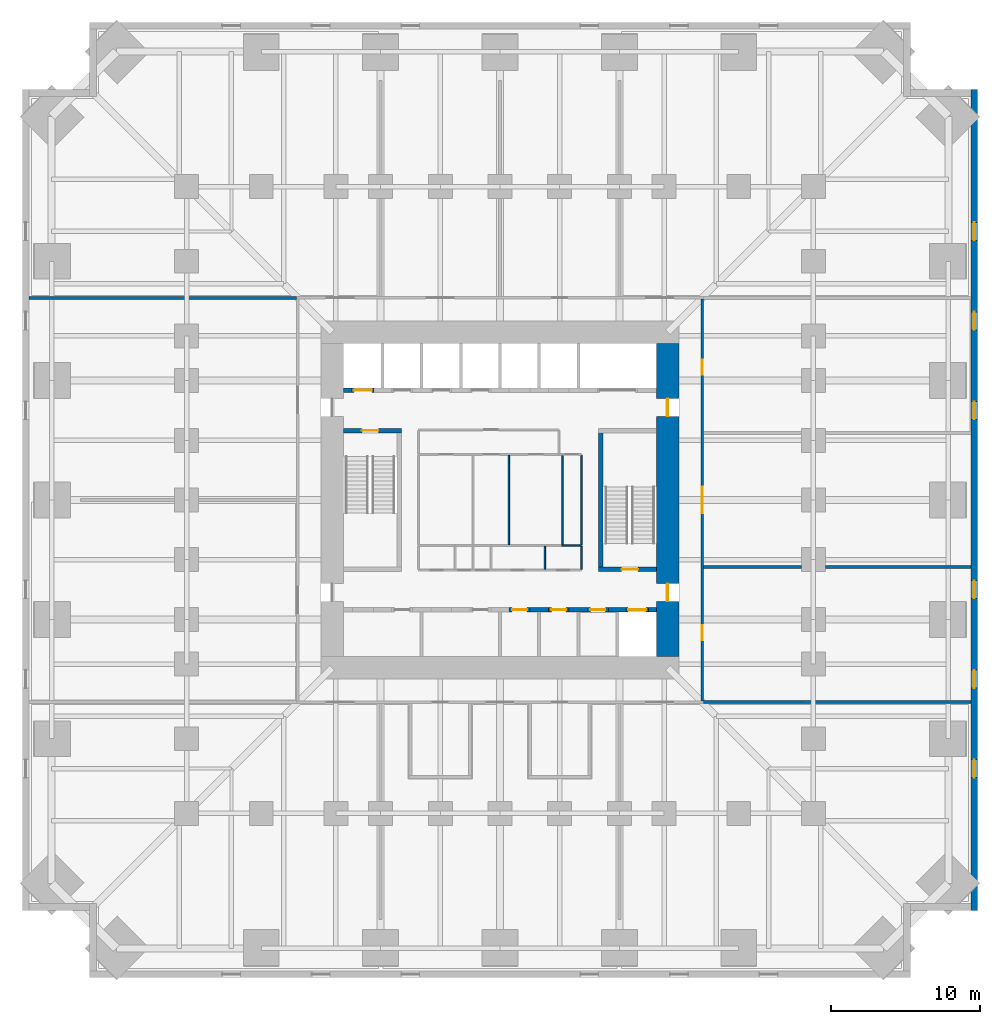
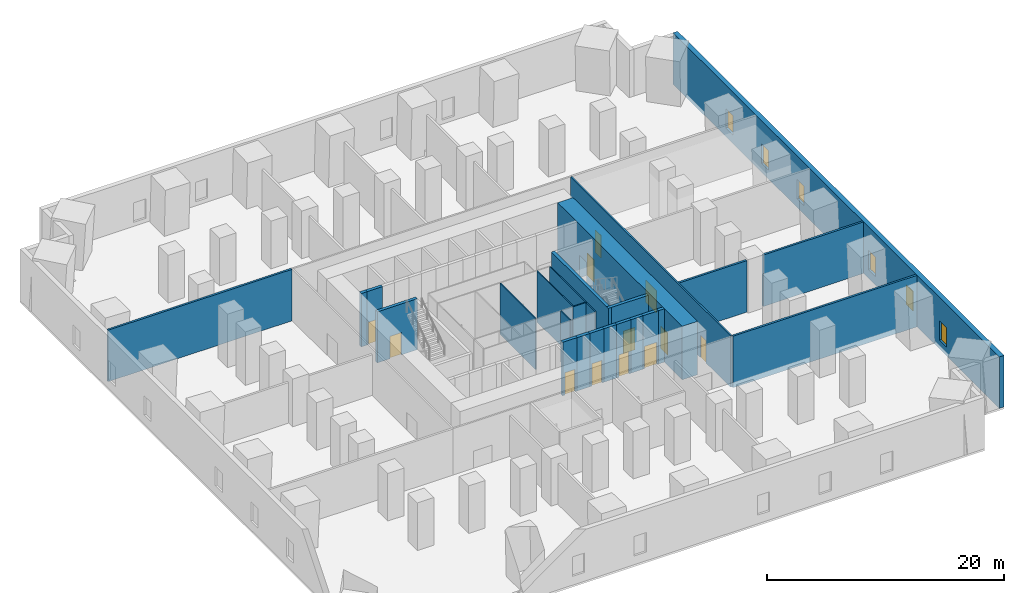
# One storey, part 5 of 8: 26 walls, 12 doors, 6 windows, 18 openings.
"""IFC4 building model written with IfcOpenShell, lengths in metres."""

from ifc_helpers import new_model, si_unit, direction, frame, frame_2d, origin, place, context, subcontext, project, spatial, rectangle, extrude, material, layer, layer_set, type_object, element, fill, save


model = new_model("IFC4")

# Units and contexts
model_context = context("Model", 3, precision=1e-05, world=origin(), true_north=direction((0.0, 1.0)))
body_context = subcontext(model_context, "Body", "Model", "MODEL_VIEW")
ifc_project = project(units=[si_unit("LENGTHUNIT", "METRE"), si_unit("AREAUNIT", "SQUARE_METRE"), si_unit("VOLUMEUNIT", "CUBIC_METRE"), si_unit("PLANEANGLEUNIT", "RADIAN"), si_unit("MASSUNIT", "GRAM", prefix="KILO")], contexts=[model_context])

# Site, building, storey
site_placement = place(None, origin())
site = spatial("IfcSite", under=ifc_project, at=site_placement, CompositionType="ELEMENT")
building_placement = place(site_placement, origin())
building = spatial("IfcBuilding", under=site, at=building_placement, Name="Peilmerk Tower", CompositionType="ELEMENT")
storey_placement = place(building_placement, frame((0.0, 0.0, 21.0)))
storey = spatial("IfcBuildingStorey", under=building, at=storey_placement, Name="L04", CompositionType="ELEMENT", Elevation=21.0)

# Wall, openings, windows
ifc_material_1 = material(Name="Precast concrete C45/55, board-marked finish", Category="concrete")
ifc_layer_1 = layer(ifc_material_1, 0.449951171875)
ifc_layer_set_1 = layer_set([ifc_layer_1], Name="Precast concrete C45/55, board-marked finish")
wall_type_1 = type_object("IfcWallType", Name="EW1 450 precast concrete facade wall, board-marked", PredefinedType="SOLIDWALL", material=ifc_layer_set_1)
wall_1_placement = place(storey_placement, frame((31.77490234375, -27.5, 0.0), z_axis=(0.0, 0.0, 1.0), x_axis=(0.0, 1.0, 0.0)))
wall_1 = element("IfcWall", 1, at=wall_1_placement, inside=storey, type_object=wall_type_1, Name="Facade wall E L04", PredefinedType="SOLIDWALL", context=body_context, shape_type="SweptSolid", body=[
    extrude(rectangle(XDim=55.0, YDim=0.449951171875, at=frame_2d((27.5, 0.0))), origin(), (0.0, 0.0, 1.0), 5.300048828125),
])
opening_1_placement = place(wall_1_placement, frame((8.89990234375, 0.0, 0.89990234375)))
opening_1 = element("IfcOpeningElement", 2, at=opening_1_placement, cuts=wall_1, Name="Opening W2", PredefinedType="OPENING", context=body_context, shape_type="SweptSolid", body=[
    extrude(rectangle(XDim=1.199951171875, YDim=2.0, at=frame_2d((0.60009765625, 1.0))), frame((0.0, 0.23486328125, 0.0), z_axis=(0.0, -1.0, 0.0), x_axis=(1.0, 0.0, 0.0)), (0.0, 0.0, 1.0), 0.469970703125),
])
opening_2_placement = place(wall_1_placement, frame((14.89990234375, 0.0, 0.89990234375)))
opening_2 = element("IfcOpeningElement", 3, at=opening_2_placement, cuts=wall_1, Name="Opening W2", PredefinedType="OPENING", context=body_context, shape_type="SweptSolid", body=[
    extrude(rectangle(XDim=1.199951171875, YDim=2.0, at=frame_2d((0.60009765625, 1.0))), frame((0.0, 0.23486328125, 0.0), z_axis=(0.0, -1.0, 0.0), x_axis=(1.0, 0.0, 0.0)), (0.0, 0.0, 1.0), 0.469970703125),
])
opening_3_placement = place(wall_1_placement, frame((20.89990234375, 0.0, 0.89990234375)))
opening_3 = element("IfcOpeningElement", 4, at=opening_3_placement, cuts=wall_1, Name="Opening W2", PredefinedType="OPENING", context=body_context, shape_type="SweptSolid", body=[
    extrude(rectangle(XDim=1.199951171875, YDim=2.0, at=frame_2d((0.60009765625, 1.0))), frame((0.0, 0.23486328125, 0.0), z_axis=(0.0, -1.0, 0.0), x_axis=(1.0, 0.0, 0.0)), (0.0, 0.0, 1.0), 0.469970703125),
])
opening_4_placement = place(wall_1_placement, frame((32.89990234375, 0.0, 0.89990234375)))
opening_4 = element("IfcOpeningElement", 5, at=opening_4_placement, cuts=wall_1, Name="Opening W2", PredefinedType="OPENING", context=body_context, shape_type="SweptSolid", body=[
    extrude(rectangle(XDim=1.199951171875, YDim=2.0, at=frame_2d((0.60009765625, 1.0))), frame((0.0, 0.23486328125, 0.0), z_axis=(0.0, -1.0, 0.0), x_axis=(1.0, 0.0, 0.0)), (0.0, 0.0, 1.0), 0.469970703125),
])
opening_5_placement = place(wall_1_placement, frame((38.89990234375, 0.0, 0.89990234375)))
opening_5 = element("IfcOpeningElement", 6, at=opening_5_placement, cuts=wall_1, Name="Opening W2", PredefinedType="OPENING", context=body_context, shape_type="SweptSolid", body=[
    extrude(rectangle(XDim=1.199951171875, YDim=2.0, at=frame_2d((0.60009765625, 1.0))), frame((0.0, 0.23486328125, 0.0), z_axis=(0.0, -1.0, 0.0), x_axis=(1.0, 0.0, 0.0)), (0.0, 0.0, 1.0), 0.469970703125),
])
opening_6_placement = place(wall_1_placement, frame((44.89990234375, 0.0, 0.89990234375)))
opening_6 = element("IfcOpeningElement", 7, at=opening_6_placement, cuts=wall_1, Name="Opening W2", PredefinedType="OPENING", context=body_context, shape_type="SweptSolid", body=[
    extrude(rectangle(XDim=1.199951171875, YDim=2.0, at=frame_2d((0.60009765625, 1.0))), frame((0.0, 0.23486328125, 0.0), z_axis=(0.0, -1.0, 0.0), x_axis=(1.0, 0.0, 0.0)), (0.0, 0.0, 1.0), 0.469970703125),
])
ifc_material_2 = material(Name="Aluminium frame, clear double glazing", Category="aluminium")
window_type = type_object("IfcWindowType", Name="W2 1200x2000 data hall slot window", PartitioningType="SINGLE_PANEL", PredefinedType="WINDOW", material=ifc_material_2)
window_1_placement = place(opening_1_placement, origin())
window_1 = element("IfcWindow", 8, at=window_1_placement, inside=storey, type_object=window_type, Name="Window W2 L04", OverallHeight=2.0, OverallWidth=1.199951171875, PartitioningType="SINGLE_PANEL", PredefinedType="WINDOW", context=body_context, shape_type="SweptSolid", body=[
    extrude(rectangle(XDim=1.199951171875, YDim=2.0, at=frame_2d((0.60009765625, 1.0))), frame((0.0, 0.030029296875, 0.0), z_axis=(0.0, -1.0, 0.0), x_axis=(1.0, 0.0, 0.0)), (0.0, 0.0, 1.0), 0.06005859375),
])
fill(opening_1, window_1)
window_2_placement = place(opening_2_placement, origin())
window_2 = element("IfcWindow", 9, at=window_2_placement, inside=storey, type_object=window_type, Name="Window W2 L04", OverallHeight=2.0, OverallWidth=1.199951171875, PartitioningType="SINGLE_PANEL", PredefinedType="WINDOW", context=body_context, shape_type="SweptSolid", body=[
    extrude(rectangle(XDim=1.199951171875, YDim=2.0, at=frame_2d((0.60009765625, 1.0))), frame((0.0, 0.030029296875, 0.0), z_axis=(0.0, -1.0, 0.0), x_axis=(1.0, 0.0, 0.0)), (0.0, 0.0, 1.0), 0.06005859375),
])
fill(opening_2, window_2)
window_3_placement = place(opening_3_placement, origin())
window_3 = element("IfcWindow", 10, at=window_3_placement, inside=storey, type_object=window_type, Name="Window W2 L04", OverallHeight=2.0, OverallWidth=1.199951171875, PartitioningType="SINGLE_PANEL", PredefinedType="WINDOW", context=body_context, shape_type="SweptSolid", body=[
    extrude(rectangle(XDim=1.199951171875, YDim=2.0, at=frame_2d((0.60009765625, 1.0))), frame((0.0, 0.030029296875, 0.0), z_axis=(0.0, -1.0, 0.0), x_axis=(1.0, 0.0, 0.0)), (0.0, 0.0, 1.0), 0.06005859375),
])
fill(opening_3, window_3)
window_4_placement = place(opening_4_placement, origin())
window_4 = element("IfcWindow", 11, at=window_4_placement, inside=storey, type_object=window_type, Name="Window W2 L04", OverallHeight=2.0, OverallWidth=1.199951171875, PartitioningType="SINGLE_PANEL", PredefinedType="WINDOW", context=body_context, shape_type="SweptSolid", body=[
    extrude(rectangle(XDim=1.199951171875, YDim=2.0, at=frame_2d((0.60009765625, 1.0))), frame((0.0, 0.030029296875, 0.0), z_axis=(0.0, -1.0, 0.0), x_axis=(1.0, 0.0, 0.0)), (0.0, 0.0, 1.0), 0.06005859375),
])
fill(opening_4, window_4)
window_5_placement = place(opening_5_placement, origin())
window_5 = element("IfcWindow", 12, at=window_5_placement, inside=storey, type_object=window_type, Name="Window W2 L04", OverallHeight=2.0, OverallWidth=1.199951171875, PartitioningType="SINGLE_PANEL", PredefinedType="WINDOW", context=body_context, shape_type="SweptSolid", body=[
    extrude(rectangle(XDim=1.199951171875, YDim=2.0, at=frame_2d((0.60009765625, 1.0))), frame((0.0, 0.030029296875, 0.0), z_axis=(0.0, -1.0, 0.0), x_axis=(1.0, 0.0, 0.0)), (0.0, 0.0, 1.0), 0.06005859375),
])
fill(opening_5, window_5)
window_6_placement = place(opening_6_placement, origin())
window_6 = element("IfcWindow", 13, at=window_6_placement, inside=storey, type_object=window_type, Name="Window W2 L04", OverallHeight=2.0, OverallWidth=1.199951171875, PartitioningType="SINGLE_PANEL", PredefinedType="WINDOW", context=body_context, shape_type="SweptSolid", body=[
    extrude(rectangle(XDim=1.199951171875, YDim=2.0, at=frame_2d((0.60009765625, 1.0))), frame((0.0, 0.030029296875, 0.0), z_axis=(0.0, -1.0, 0.0), x_axis=(1.0, 0.0, 0.0)), (0.0, 0.0, 1.0), 0.06005859375),
])
fill(opening_6, window_6)

# Wall, openings, doors
ifc_material_3 = material(Name="Calcium silicate block", Category="masonry")
ifc_layer_2 = layer(ifc_material_3, 0.14990234375)
ifc_layer_set_2 = layer_set([ifc_layer_2], Name="Calcium silicate block")
wall_type_2 = type_object("IfcWallType", Name="IW1 150 corridor partition, EI 60", PredefinedType="PARTITIONING", material=ifc_layer_set_2)
wall_2_placement = place(storey_placement, frame((13.550048828125, -13.47509765625, 0.0), z_axis=(0.0, 0.0, 1.0), x_axis=(0.0, 1.0, 0.0)))
wall_2 = element("IfcWall", 14, at=wall_2_placement, inside=storey, type_object=wall_type_2, Name="Corridor wall E L04", PredefinedType="PARTITIONING", context=body_context, shape_type="SweptSolid", body=[
    extrude(rectangle(XDim=26.9501953125, YDim=0.14990234375, at=frame_2d((13.47509765625, 0.0))), origin(), (0.0, 0.0, 1.0), 5.300048828125),
])
opening_7_placement = place(wall_2_placement, frame((4.074951171875, 0.0, 0.0)))
opening_7 = element("IfcOpeningElement", 15, at=opening_7_placement, cuts=wall_2, Name="Opening D1", PredefinedType="OPENING", context=body_context, shape_type="SweptSolid", body=[
    extrude(rectangle(XDim=1.0, YDim=2.300048828125, at=frame_2d((0.5, 1.14990234375))), frame((0.0, 0.0849609375, 0.0), z_axis=(0.0, -1.0, 0.0), x_axis=(1.0, 0.0, 0.0)), (0.0, 0.0, 1.0), 0.169921875),
])
opening_8_placement = place(wall_2_placement, frame((12.574951171875, 0.0, 0.0)))
opening_8 = element("IfcOpeningElement", 16, at=opening_8_placement, cuts=wall_2, Name="Opening D2", PredefinedType="OPENING", context=body_context, shape_type="SweptSolid", body=[
    extrude(rectangle(XDim=1.800048828125, YDim=2.300048828125, at=frame_2d((0.89990234375, 1.14990234375))), frame((0.0, 0.0849609375, 0.0), z_axis=(0.0, -1.0, 0.0), x_axis=(1.0, 0.0, 0.0)), (0.0, 0.0, 1.0), 0.169921875),
])
opening_9_placement = place(wall_2_placement, frame((21.875, 0.0, 0.0)))
opening_9 = element("IfcOpeningElement", 17, at=opening_9_placement, cuts=wall_2, Name="Opening D1", PredefinedType="OPENING", context=body_context, shape_type="SweptSolid", body=[
    extrude(rectangle(XDim=1.0, YDim=2.300048828125, at=frame_2d((0.5, 1.14990234375))), frame((0.0, 0.0849609375, 0.0), z_axis=(0.0, -1.0, 0.0), x_axis=(1.0, 0.0, 0.0)), (0.0, 0.0, 1.0), 0.169921875),
])
ifc_material_4 = material(Name="Timber door in steel frame", Category="steel")
door_type_1 = type_object("IfcDoorType", Name="D1 1000x2300 room door, EI2 30", OperationType="SINGLE_SWING_LEFT", PredefinedType="DOOR", material=ifc_material_4)
door_1_placement = place(opening_7_placement, frame((1.0, 0.0, 0.0), z_axis=(0.0, 0.0, 1.0), x_axis=(-1.0, 0.0, 0.0)))
door_1 = element("IfcDoor", 18, at=door_1_placement, inside=storey, type_object=door_type_1, Name="Door HV switchroom L04", OperationType="SINGLE_SWING_LEFT", OverallHeight=2.300048828125, OverallWidth=1.0, PredefinedType="DOOR", context=body_context, shape_type="SweptSolid", body=[
    extrude(rectangle(XDim=1.0, YDim=2.300048828125, at=frame_2d((0.5, 1.14990234375))), frame((0.0, 0.02490234375, 0.0), z_axis=(0.0, -1.0, 0.0), x_axis=(1.0, 0.0, 0.0)), (0.0, 0.0, 1.0), 0.050048828125),
])
fill(opening_7, door_1)
door_2_placement = place(opening_9_placement, frame((1.0, 0.0, 0.0), z_axis=(0.0, 0.0, 1.0), x_axis=(-1.0, 0.0, 0.0)))
door_2 = element("IfcDoor", 19, at=door_2_placement, inside=storey, type_object=door_type_1, Name="Door LV switchboard room L04", OperationType="SINGLE_SWING_LEFT", OverallHeight=2.300048828125, OverallWidth=1.0, PredefinedType="DOOR", context=body_context, shape_type="SweptSolid", body=[
    extrude(rectangle(XDim=1.0, YDim=2.300048828125, at=frame_2d((0.5, 1.14990234375))), frame((0.0, 0.02490234375, 0.0), z_axis=(0.0, -1.0, 0.0), x_axis=(1.0, 0.0, 0.0)), (0.0, 0.0, 1.0), 0.050048828125),
])
fill(opening_9, door_2)
ifc_material_5 = material(Name="Steel door in steel frame", Category="steel")
door_type_2 = type_object("IfcDoorType", Name="D2 1800x2300 double door, EI2 60", OperationType="DOUBLE_DOOR_DOUBLE_SWING", PredefinedType="DOOR", material=ifc_material_5)
door_3_placement = place(opening_8_placement, frame((1.800048828125, 0.0, 0.0), z_axis=(0.0, 0.0, 1.0), x_axis=(-1.0, 0.0, 0.0)))
door_3 = element("IfcDoor", 20, at=door_3_placement, inside=storey, type_object=door_type_2, Name="Door Transformer room L04", OperationType="DOUBLE_DOOR_DOUBLE_SWING", OverallHeight=2.300048828125, OverallWidth=1.800048828125, PredefinedType="DOOR", context=body_context, shape_type="SweptSolid", body=[
    extrude(rectangle(XDim=1.800048828125, YDim=2.300048828125, at=frame_2d((0.89990234375, 1.14990234375))), frame((0.0, 0.02490234375, 0.0), z_axis=(0.0, -1.0, 0.0), x_axis=(1.0, 0.0, 0.0)), (0.0, 0.0, 1.0), 0.050048828125),
])
fill(opening_8, door_3)

# Walls
ifc_layer_3 = layer(ifc_material_3, 0.199951171875)
ifc_layer_set_3 = layer_set([ifc_layer_3], Name="Calcium silicate block")
wall_type_3 = type_object("IfcWallType", Name="IW2 200 room separating wall, EI 120", PredefinedType="PARTITIONING", material=ifc_layer_set_3)
for number, where, z_axis, x_axis, name in (
    (21, (-31.550048828125, 13.550048828125, 0.0), (0.0, 0.0, 1.0), (1.0, 0.0, 0.0), "Room separating wall NW L04"),
    (22, (31.550048828125, -13.550048828125, 0.0), (0.0, 0.0, 1.0), (-1.0, 0.0, 0.0), "Room separating wall SE L04"),
):
    element("IfcWall", number, at=place(storey_placement, frame(where, z_axis=z_axis, x_axis=x_axis)), inside=storey, type_object=wall_type_3, Name=name, PredefinedType="PARTITIONING", context=body_context, shape_type="SweptSolid", body=[
        extrude(rectangle(XDim=17.925048828125, YDim=0.199951171875, at=frame_2d((8.96240234375, 0.0))), origin(), (0.0, 0.0, 1.0), 5.300048828125),
    ])
wall_3_placement = place(storey_placement, frame((13.625, -4.5, 0.0), z_axis=(0.0, 0.0, 1.0), x_axis=(1.0, 0.0, 0.0)))
element("IfcWall", 23, at=wall_3_placement, inside=storey, type_object=wall_type_3, Name="Room separating wall E1 L04", PredefinedType="PARTITIONING", context=body_context, shape_type="SweptSolid", body=[
    extrude(rectangle(XDim=6.574951171875, YDim=0.199951171875, at=frame_2d((3.28759765625, 0.0))), origin(), (0.0, 0.0, 1.0), 5.300048828125),
])
wall_4_placement = place(storey_placement, frame((21.800048828125, -4.5, 0.0), z_axis=(0.0, 0.0, 1.0), x_axis=(1.0, 0.0, 0.0)))
element("IfcWall", 24, at=wall_4_placement, inside=storey, type_object=wall_type_3, Name="Room separating wall E1b L04", PredefinedType="PARTITIONING", context=body_context, shape_type="SweptSolid", body=[
    extrude(rectangle(XDim=9.75, YDim=0.199951171875, at=frame_2d((4.875, 0.0))), origin(), (0.0, 0.0, 1.0), 5.300048828125),
])

# Wall, opening, door
ifc_material_6 = material(Name="Concrete C35/45", Category="concrete")
ifc_layer_4 = layer(ifc_material_6, 0.300048828125)
ifc_layer_set_4 = layer_set([ifc_layer_4], Name="Concrete C35/45")
wall_type_4 = type_object("IfcWallType", Name="IW3 300 concrete stair enclosure wall, EI 120", PredefinedType="SOLIDWALL", material=ifc_layer_set_4)
wall_5_placement = place(storey_placement, frame((-10.5, 4.64990234375, 0.0), z_axis=(0.0, 0.0, 1.0), x_axis=(1.0, 0.0, 0.0)))
wall_5 = element("IfcWall", 25, at=wall_5_placement, inside=storey, type_object=wall_type_4, Name="Stair 1 enclosure L04", PredefinedType="SOLIDWALL", context=body_context, shape_type="SweptSolid", body=[
    extrude(rectangle(XDim=3.89990234375, YDim=0.300048828125, at=frame_2d((1.949951171875, 0.0))), origin(), (0.0, 0.0, 1.0), 5.25),
])
opening_10_placement = place(wall_5_placement, frame((1.25, 0.0, 0.0)))
opening_10 = element("IfcOpeningElement", 26, at=opening_10_placement, cuts=wall_5, Name="Opening D4", PredefinedType="OPENING", context=body_context, shape_type="SweptSolid", body=[
    extrude(rectangle(XDim=1.10009765625, YDim=2.300048828125, at=frame_2d((0.550048828125, 1.14990234375))), frame((0.0, 0.159912109375, 0.0), z_axis=(0.0, -1.0, 0.0), x_axis=(1.0, 0.0, 0.0)), (0.0, 0.0, 1.0), 0.320068359375),
])
door_type_3 = type_object("IfcDoorType", Name="D4 1100x2300 stair door, EI2 60", OperationType="SINGLE_SWING_RIGHT", PredefinedType="DOOR", material=ifc_material_5)
door_4_placement = place(opening_10_placement, frame((1.10009765625, 0.0, 0.0), z_axis=(0.0, 0.0, 1.0), x_axis=(-1.0, 0.0, 0.0)))
door_4 = element("IfcDoor", 27, at=door_4_placement, inside=storey, type_object=door_type_3, Name="Stair 1 door L04", OperationType="SINGLE_SWING_RIGHT", OverallHeight=2.300048828125, OverallWidth=1.10009765625, PredefinedType="DOOR", context=body_context, shape_type="SweptSolid", body=[
    extrude(rectangle(XDim=1.10009765625, YDim=2.300048828125, at=frame_2d((0.550048828125, 1.14990234375))), frame((0.0, 0.02490234375, 0.0), z_axis=(0.0, -1.0, 0.0), x_axis=(1.0, 0.0, 0.0)), (0.0, 0.0, 1.0), 0.050048828125),
])
fill(opening_10, door_4)

# Wall
wall_6_placement = place(storey_placement, frame((6.75, -4.800048828125, 0.0), z_axis=(0.0, 0.0, 1.0), x_axis=(0.0, 1.0, 0.0)))
element("IfcWall", 28, at=wall_6_placement, inside=storey, type_object=wall_type_4, Name="Stair 2 enclosure L04", PredefinedType="SOLIDWALL", context=body_context, shape_type="SweptSolid", body=[
    extrude(rectangle(XDim=9.60009765625, YDim=0.300048828125, at=frame_2d((4.800048828125, 0.0))), origin(), (0.0, 0.0, 1.0), 5.25),
])

# Wall, opening, door
wall_7_placement = place(storey_placement, frame((10.5, -4.64990234375, 0.0), z_axis=(0.0, 0.0, 1.0), x_axis=(-1.0, 0.0, 0.0)))
wall_7 = element("IfcWall", 29, at=wall_7_placement, inside=storey, type_object=wall_type_4, Name="Stair 2 enclosure L04", PredefinedType="SOLIDWALL", context=body_context, shape_type="SweptSolid", body=[
    extrude(rectangle(XDim=3.89990234375, YDim=0.300048828125, at=frame_2d((1.949951171875, 0.0))), origin(), (0.0, 0.0, 1.0), 5.25),
])
opening_11_placement = place(wall_7_placement, frame((1.25, 0.0, 0.0)))
opening_11 = element("IfcOpeningElement", 30, at=opening_11_placement, cuts=wall_7, Name="Opening D4", PredefinedType="OPENING", context=body_context, shape_type="SweptSolid", body=[
    extrude(rectangle(XDim=1.10009765625, YDim=2.300048828125, at=frame_2d((0.550048828125, 1.14990234375))), frame((0.0, 0.159912109375, 0.0), z_axis=(0.0, -1.0, 0.0), x_axis=(1.0, 0.0, 0.0)), (0.0, 0.0, 1.0), 0.320068359375),
])
door_5_placement = place(opening_11_placement, frame((1.10009765625, 0.0, 0.0), z_axis=(0.0, 0.0, 1.0), x_axis=(-1.0, 0.0, 0.0)))
door_5 = element("IfcDoor", 31, at=door_5_placement, inside=storey, type_object=door_type_3, Name="Stair 2 door L04", OperationType="SINGLE_SWING_RIGHT", OverallHeight=2.300048828125, OverallWidth=1.10009765625, PredefinedType="DOOR", context=body_context, shape_type="SweptSolid", body=[
    extrude(rectangle(XDim=1.10009765625, YDim=2.300048828125, at=frame_2d((0.550048828125, 1.14990234375))), frame((0.0, 0.02490234375, 0.0), z_axis=(0.0, -1.0, 0.0), x_axis=(1.0, 0.0, 0.0)), (0.0, 0.0, 1.0), 0.050048828125),
])
fill(opening_11, door_5)

# Walls
ifc_material_7 = material(Name="Plasterboard on steel studs", Category="steel")
ifc_layer_5 = layer(ifc_material_7, 0.10009765625)
ifc_layer_set_5 = layer_set([ifc_layer_5], Name="Plasterboard on steel studs")
wall_type_5 = type_object("IfcWallType", Name="IW4 100 WC partition", PredefinedType="PARTITIONING", material=ifc_layer_set_5)
wall_8_placement = place(storey_placement, frame((0.60009765625, -3.0, 0.0), z_axis=(0.0, 0.0, 1.0), x_axis=(0.0, 1.0, 0.0)))
element("IfcWall", 32, at=wall_8_placement, inside=storey, type_object=wall_type_5, Name="WC wall L04", PredefinedType="PARTITIONING", context=body_context, shape_type="SweptSolid", body=[
    extrude(rectangle(XDim=6.0, YDim=0.10009765625, at=frame_2d((3.0, 0.0))), origin(), (0.0, 0.0, 1.0), 5.25),
])
ifc_material_8 = material(Name="Calcium silicate board on steel studs", Category="steel")
ifc_layer_6 = layer(ifc_material_8, 0.10009765625)
ifc_layer_set_6 = layer_set([ifc_layer_6], Name="Calcium silicate board on steel studs")
wall_type_6 = type_object("IfcWallType", Name="IW5 100 riser enclosure wall, EI 60", PredefinedType="PARTITIONING", material=ifc_layer_set_6)
wall_9_placement = place(storey_placement, frame((5.449951171875, -3.050048828125, 0.0), z_axis=(0.0, 0.0, 1.0), x_axis=(-1.0, 0.0, 0.0)))
element("IfcWall", 33, at=wall_9_placement, inside=storey, type_object=wall_type_6, Name="Riser wall L04", PredefinedType="PARTITIONING", context=body_context, shape_type="SweptSolid", body=[
    extrude(rectangle(XDim=1.300048828125, YDim=0.10009765625, at=frame_2d((0.64990234375, 0.0))), origin(), (0.0, 0.0, 1.0), 5.25),
])
for number, where, z_axis, x_axis, name in (
    (34, (5.449951171875, 3.0, 0.0), (0.0, 0.0, 1.0), (0.0, -1.0, 0.0), "Riser wall L04"),
    (35, (4.199951171875, -3.0, 0.0), (0.0, 0.0, 1.0), (0.0, 1.0, 0.0), "Riser wall L04"),
):
    element("IfcWall", number, at=place(storey_placement, frame(where, z_axis=z_axis, x_axis=x_axis)), inside=storey, type_object=wall_type_6, Name=name, PredefinedType="PARTITIONING", context=body_context, shape_type="SweptSolid", body=[
        extrude(rectangle(XDim=6.0, YDim=0.10009765625, at=frame_2d((3.0, 0.0))), origin(), (0.0, 0.0, 1.0), 5.25),
    ])
for number, where, z_axis, x_axis, name in (
    (36, (5.449951171875, -3.10009765625, 0.0), (0.0, 0.0, 1.0), (0.0, -1.0, 0.0), "Riser wall L04"),
    (37, (3.0, -3.10009765625, 0.0), (0.0, 0.0, 1.0), (0.0, -1.0, 0.0), "Riser wall L04"),
):
    element("IfcWall", number, at=place(storey_placement, frame(where, z_axis=z_axis, x_axis=x_axis)), inside=storey, type_object=wall_type_6, Name=name, PredefinedType="PARTITIONING", context=body_context, shape_type="SweptSolid", body=[
        extrude(rectangle(XDim=1.5498046875, YDim=0.10009765625, at=frame_2d((0.77490234375, 0.0))), origin(), (0.0, 0.0, 1.0), 5.25),
    ])

# Wall, opening, door
ifc_layer_7 = layer(ifc_material_3, 0.300048828125)
ifc_layer_set_7 = layer_set([ifc_layer_7], Name="Calcium silicate block")
wall_type_7 = type_object("IfcWallType", Name="SH2 300 lift landing door panel, EI 120", PredefinedType="PARTITIONING", material=ifc_layer_set_7)
wall_10_placement = place(storey_placement, frame((-9.9375, 7.35009765625, 0.0), z_axis=(0.0, 0.0, 1.0), x_axis=(1.0, 0.0, 0.0)))
wall_10 = element("IfcWall", 38, at=wall_10_placement, inside=storey, type_object=wall_type_7, Name="Lift door panel N FL1 L04", PredefinedType="PARTITIONING", context=body_context, shape_type="SweptSolid", body=[
    extrude(rectangle(XDim=1.5, YDim=0.300048828125, at=frame_2d((0.75, 0.0))), origin(), (0.0, 0.0, 1.0), 5.5),
])
opening_12_placement = place(wall_10_placement, frame((0.14990234375, 0.0, 0.0)))
opening_12 = element("IfcOpeningElement", 39, at=opening_12_placement, cuts=wall_10, Name="Opening LD2", PredefinedType="OPENING", context=body_context, shape_type="SweptSolid", body=[
    extrude(rectangle(XDim=1.199951171875, YDim=2.300048828125, at=frame_2d((0.60009765625, 1.14990234375))), frame((0.0, 0.159912109375, 0.0), z_axis=(0.0, -1.0, 0.0), x_axis=(1.0, 0.0, 0.0)), (0.0, 0.0, 1.0), 0.320068359375),
])
ifc_material_9 = material(Name="Stainless steel landing door", Category="steel")
door_type_4 = type_object("IfcDoorType", Name="LD2 1200x2300 lift landing door, sliding, EI2 60", OperationType="SLIDING_TO_LEFT", PredefinedType="DOOR", material=ifc_material_9)
door_6_placement = place(opening_12_placement, frame((1.199951171875, 0.0, 0.0), z_axis=(0.0, 0.0, 1.0), x_axis=(-1.0, 0.0, 0.0)))
door_6 = element("IfcDoor", 40, at=door_6_placement, inside=storey, type_object=door_type_4, Name="Lift landing door FL1 L04", OperationType="SLIDING_TO_LEFT", OverallHeight=2.300048828125, OverallWidth=1.199951171875, PredefinedType="DOOR", context=body_context, shape_type="SweptSolid", body=[
    extrude(rectangle(XDim=1.199951171875, YDim=2.300048828125, at=frame_2d((0.60009765625, 1.14990234375))), frame((0.0, 0.02490234375, 0.0), z_axis=(0.0, -1.0, 0.0), x_axis=(1.0, 0.0, 0.0)), (0.0, 0.0, 1.0), 0.050048828125),
])
fill(opening_12, door_6)

wall_11_placement = place(storey_placement, frame((0.612548828125, -7.35009765625, 0.0), z_axis=(0.0, 0.0, 1.0), x_axis=(1.0, 0.0, 0.0)))
wall_11 = element("IfcWall", 41, at=wall_11_placement, inside=storey, type_object=wall_type_7, Name="Lift door panel S B3 L04", PredefinedType="PARTITIONING", context=body_context, shape_type="SweptSolid", body=[
    extrude(rectangle(XDim=1.39990234375, YDim=0.300048828125, at=frame_2d((0.699951171875, 0.0))), origin(), (0.0, 0.0, 1.0), 5.5),
])
opening_13_placement = place(wall_11_placement, frame((0.199951171875, 0.0, 0.0)))
opening_13 = element("IfcOpeningElement", 42, at=opening_13_placement, cuts=wall_11, Name="Opening D10", PredefinedType="OPENING", context=body_context, shape_type="SweptSolid", body=[
    extrude(rectangle(XDim=1.0, YDim=2.300048828125, at=frame_2d((0.5, 1.14990234375))), frame((0.0, 0.159912109375, 0.0), z_axis=(0.0, -1.0, 0.0), x_axis=(1.0, 0.0, 0.0)), (0.0, 0.0, 1.0), 0.320068359375),
])
door_type_5 = type_object("IfcDoorType", Name="D10 1000x2300 core room door, EI2 60", OperationType="SINGLE_SWING_RIGHT", PredefinedType="DOOR", material=ifc_material_5)
door_7_placement = place(opening_13_placement, frame((1.0, 0.0, 0.0), z_axis=(0.0, 0.0, 1.0), x_axis=(-1.0, 0.0, 0.0)))
door_7 = element("IfcDoor", 43, at=door_7_placement, inside=storey, type_object=door_type_5, Name="Door Electrical room L04", OperationType="SINGLE_SWING_RIGHT", OverallHeight=2.300048828125, OverallWidth=1.0, PredefinedType="DOOR", context=body_context, shape_type="SweptSolid", body=[
    extrude(rectangle(XDim=1.0, YDim=2.300048828125, at=frame_2d((0.5, 1.14990234375))), frame((0.0, 0.02490234375, 0.0), z_axis=(0.0, -1.0, 0.0), x_axis=(1.0, 0.0, 0.0)), (0.0, 0.0, 1.0), 0.050048828125),
])
fill(opening_13, door_7)

wall_12_placement = place(storey_placement, frame((3.237548828125, -7.35009765625, 0.0), z_axis=(0.0, 0.0, 1.0), x_axis=(1.0, 0.0, 0.0)))
wall_12 = element("IfcWall", 44, at=wall_12_placement, inside=storey, type_object=wall_type_7, Name="Lift door panel S B2 L04", PredefinedType="PARTITIONING", context=body_context, shape_type="SweptSolid", body=[
    extrude(rectangle(XDim=1.39990234375, YDim=0.300048828125, at=frame_2d((0.699951171875, 0.0))), origin(), (0.0, 0.0, 1.0), 5.5),
])
opening_14_placement = place(wall_12_placement, frame((0.199951171875, 0.0, 0.0)))
opening_14 = element("IfcOpeningElement", 45, at=opening_14_placement, cuts=wall_12, Name="Opening D10", PredefinedType="OPENING", context=body_context, shape_type="SweptSolid", body=[
    extrude(rectangle(XDim=1.0, YDim=2.300048828125, at=frame_2d((0.5, 1.14990234375))), frame((0.0, 0.159912109375, 0.0), z_axis=(0.0, -1.0, 0.0), x_axis=(1.0, 0.0, 0.0)), (0.0, 0.0, 1.0), 0.320068359375),
])
door_8_placement = place(opening_14_placement, frame((1.0, 0.0, 0.0), z_axis=(0.0, 0.0, 1.0), x_axis=(-1.0, 0.0, 0.0)))
door_8 = element("IfcDoor", 46, at=door_8_placement, inside=storey, type_object=door_type_5, Name="Door Staff WC L04", OperationType="SINGLE_SWING_RIGHT", OverallHeight=2.300048828125, OverallWidth=1.0, PredefinedType="DOOR", context=body_context, shape_type="SweptSolid", body=[
    extrude(rectangle(XDim=1.0, YDim=2.300048828125, at=frame_2d((0.5, 1.14990234375))), frame((0.0, 0.02490234375, 0.0), z_axis=(0.0, -1.0, 0.0), x_axis=(1.0, 0.0, 0.0)), (0.0, 0.0, 1.0), 0.050048828125),
])
fill(opening_14, door_8)

wall_13_placement = place(storey_placement, frame((5.862548828125, -7.35009765625, 0.0), z_axis=(0.0, 0.0, 1.0), x_axis=(1.0, 0.0, 0.0)))
wall_13 = element("IfcWall", 47, at=wall_13_placement, inside=storey, type_object=wall_type_7, Name="Lift door panel S B1 L04", PredefinedType="PARTITIONING", context=body_context, shape_type="SweptSolid", body=[
    extrude(rectangle(XDim=1.39990234375, YDim=0.300048828125, at=frame_2d((0.699951171875, 0.0))), origin(), (0.0, 0.0, 1.0), 5.5),
])
opening_15_placement = place(wall_13_placement, frame((0.199951171875, 0.0, 0.0)))
opening_15 = element("IfcOpeningElement", 48, at=opening_15_placement, cuts=wall_13, Name="Opening D10", PredefinedType="OPENING", context=body_context, shape_type="SweptSolid", body=[
    extrude(rectangle(XDim=1.0, YDim=2.300048828125, at=frame_2d((0.5, 1.14990234375))), frame((0.0, 0.159912109375, 0.0), z_axis=(0.0, -1.0, 0.0), x_axis=(1.0, 0.0, 0.0)), (0.0, 0.0, 1.0), 0.320068359375),
])
door_9_placement = place(opening_15_placement, frame((1.0, 0.0, 0.0), z_axis=(0.0, 0.0, 1.0), x_axis=(-1.0, 0.0, 0.0)))
door_9 = element("IfcDoor", 49, at=door_9_placement, inside=storey, type_object=door_type_5, Name="Door Pantry L04", OperationType="SINGLE_SWING_RIGHT", OverallHeight=2.300048828125, OverallWidth=1.0, PredefinedType="DOOR", context=body_context, shape_type="SweptSolid", body=[
    extrude(rectangle(XDim=1.0, YDim=2.300048828125, at=frame_2d((0.5, 1.14990234375))), frame((0.0, 0.02490234375, 0.0), z_axis=(0.0, -1.0, 0.0), x_axis=(1.0, 0.0, 0.0)), (0.0, 0.0, 1.0), 0.050048828125),
])
fill(opening_15, door_9)

wall_14_placement = place(storey_placement, frame((8.4375, -7.35009765625, 0.0), z_axis=(0.0, 0.0, 1.0), x_axis=(1.0, 0.0, 0.0)))
wall_14 = element("IfcWall", 50, at=wall_14_placement, inside=storey, type_object=wall_type_7, Name="Lift door panel S FL2 L04", PredefinedType="PARTITIONING", context=body_context, shape_type="SweptSolid", body=[
    extrude(rectangle(XDim=1.5, YDim=0.300048828125, at=frame_2d((0.75, 0.0))), origin(), (0.0, 0.0, 1.0), 5.5),
])
opening_16_placement = place(wall_14_placement, frame((0.14990234375, 0.0, 0.0)))
opening_16 = element("IfcOpeningElement", 51, at=opening_16_placement, cuts=wall_14, Name="Opening LD2", PredefinedType="OPENING", context=body_context, shape_type="SweptSolid", body=[
    extrude(rectangle(XDim=1.199951171875, YDim=2.300048828125, at=frame_2d((0.60009765625, 1.14990234375))), frame((0.0, 0.159912109375, 0.0), z_axis=(0.0, -1.0, 0.0), x_axis=(1.0, 0.0, 0.0)), (0.0, 0.0, 1.0), 0.320068359375),
])
door_10_placement = place(opening_16_placement, origin())
door_10 = element("IfcDoor", 52, at=door_10_placement, inside=storey, type_object=door_type_4, Name="Lift landing door FL2 L04", OperationType="SLIDING_TO_LEFT", OverallHeight=2.300048828125, OverallWidth=1.199951171875, PredefinedType="DOOR", context=body_context, shape_type="SweptSolid", body=[
    extrude(rectangle(XDim=1.199951171875, YDim=2.300048828125, at=frame_2d((0.60009765625, 1.14990234375))), frame((0.0, 0.02490234375, 0.0), z_axis=(0.0, -1.0, 0.0), x_axis=(1.0, 0.0, 0.0)), (0.0, 0.0, 1.0), 0.050048828125),
])
fill(opening_16, door_10)

# Wall, openings, doors
ifc_material_10 = material(Name="Concrete C55/67", Category="concrete")
ifc_layer_8 = layer(ifc_material_10, 1.5)
ifc_layer_set_8 = layer_set([ifc_layer_8], Name="Concrete C55/67")
wall_type_8 = type_object("IfcWallType", Name="SW1 1500 core wall", PredefinedType="SHEAR", material=ifc_layer_set_8)
wall_15_placement = place(storey_placement, frame((11.25, 10.5, 0.0), z_axis=(0.0, 0.0, 1.0), x_axis=(0.0, -1.0, 0.0)))
wall_15 = element("IfcWall", 53, at=wall_15_placement, inside=storey, type_object=wall_type_8, Name="Core wall E L04", PredefinedType="SHEAR", context=body_context, shape_type="SweptSolid", body=[
    extrude(rectangle(XDim=21.0, YDim=1.5, at=frame_2d((10.5, 0.0))), origin(), (0.0, 0.0, 1.0), 5.5),
])
opening_17_placement = place(wall_15_placement, frame((3.699951171875, 0.0, 0.0)))
opening_17 = element("IfcOpeningElement", 54, at=opening_17_placement, cuts=wall_15, Name="Opening D3", PredefinedType="OPENING", context=body_context, shape_type="SweptSolid", body=[
    extrude(rectangle(XDim=1.199951171875, YDim=2.300048828125, at=frame_2d((0.60009765625, 1.14990234375))), frame((0.0, 0.760009765625, 0.0), z_axis=(0.0, -1.0, 0.0), x_axis=(1.0, 0.0, 0.0)), (0.0, 0.0, 1.0), 1.52001953125),
])
opening_18_placement = place(wall_15_placement, frame((16.10009765625, 0.0, 0.0)))
opening_18 = element("IfcOpeningElement", 55, at=opening_18_placement, cuts=wall_15, Name="Opening D3", PredefinedType="OPENING", context=body_context, shape_type="SweptSolid", body=[
    extrude(rectangle(XDim=1.199951171875, YDim=2.300048828125, at=frame_2d((0.60009765625, 1.14990234375))), frame((0.0, 0.760009765625, 0.0), z_axis=(0.0, -1.0, 0.0), x_axis=(1.0, 0.0, 0.0)), (0.0, 0.0, 1.0), 1.52001953125),
])
door_type_6 = type_object("IfcDoorType", Name="D3 1200x2300 core door, EI2 60", OperationType="SINGLE_SWING_LEFT", PredefinedType="DOOR", material=ifc_material_5)
door_11_placement = place(opening_17_placement, frame((1.199951171875, 0.0, 0.0), z_axis=(0.0, 0.0, 1.0), x_axis=(-1.0, 0.0, 0.0)))
door_11 = element("IfcDoor", 56, at=door_11_placement, inside=storey, type_object=door_type_6, Name="Core door L04", OperationType="SINGLE_SWING_LEFT", OverallHeight=2.300048828125, OverallWidth=1.199951171875, PredefinedType="DOOR", context=body_context, shape_type="SweptSolid", body=[
    extrude(rectangle(XDim=1.199951171875, YDim=2.300048828125, at=frame_2d((0.60009765625, 1.14990234375))), frame((0.0, 0.02490234375, 0.0), z_axis=(0.0, -1.0, 0.0), x_axis=(1.0, 0.0, 0.0)), (0.0, 0.0, 1.0), 0.050048828125),
])
fill(opening_17, door_11)
door_12_placement = place(opening_18_placement, frame((1.199951171875, 0.0, 0.0), z_axis=(0.0, 0.0, 1.0), x_axis=(-1.0, 0.0, 0.0)))
door_12 = element("IfcDoor", 57, at=door_12_placement, inside=storey, type_object=door_type_6, Name="Core door L04", OperationType="SINGLE_SWING_LEFT", OverallHeight=2.300048828125, OverallWidth=1.199951171875, PredefinedType="DOOR", context=body_context, shape_type="SweptSolid", body=[
    extrude(rectangle(XDim=1.199951171875, YDim=2.300048828125, at=frame_2d((0.60009765625, 1.14990234375))), frame((0.0, 0.02490234375, 0.0), z_axis=(0.0, -1.0, 0.0), x_axis=(1.0, 0.0, 0.0)), (0.0, 0.0, 1.0), 0.050048828125),
])
fill(opening_18, door_12)

# Walls
ifc_layer_9 = layer(ifc_material_10, 0.300048828125)
ifc_layer_set_9 = layer_set([ifc_layer_9], Name="Concrete C55/67")
wall_type_9 = type_object("IfcWallType", Name="SW2 300 lift bank pier", PredefinedType="SHEAR", material=ifc_layer_set_9)
wall_16_placement = place(storey_placement, frame((-10.5, 7.35009765625, 0.0), z_axis=(0.0, 0.0, 1.0), x_axis=(1.0, 0.0, 0.0)))
element("IfcWall", 58, at=wall_16_placement, inside=storey, type_object=wall_type_9, Name="Lift bank pier N L04", PredefinedType="SHEAR", context=body_context, shape_type="SweptSolid", body=[
    extrude(rectangle(XDim=0.5625, YDim=0.300048828125, at=frame_2d((0.28125, 0.0))), origin(), (0.0, 0.0, 1.0), 5.5),
])
for number, where, z_axis, x_axis, name in (
    (59, (2.012451171875, -7.35009765625, 0.0), (0.0, 0.0, 1.0), (1.0, 0.0, 0.0), "Lift bank pier S L04"),
    (60, (4.637451171875, -7.35009765625, 0.0), (0.0, 0.0, 1.0), (1.0, 0.0, 0.0), "Lift bank pier S L04"),
):
    element("IfcWall", number, at=place(storey_placement, frame(where, z_axis=z_axis, x_axis=x_axis)), inside=storey, type_object=wall_type_9, Name=name, PredefinedType="SHEAR", context=body_context, shape_type="SweptSolid", body=[
        extrude(rectangle(XDim=1.22509765625, YDim=0.300048828125, at=frame_2d((0.612548828125, 0.0))), origin(), (0.0, 0.0, 1.0), 5.5),
    ])
wall_17_placement = place(storey_placement, frame((7.262451171875, -7.35009765625, 0.0), z_axis=(0.0, 0.0, 1.0), x_axis=(1.0, 0.0, 0.0)))
element("IfcWall", 61, at=wall_17_placement, inside=storey, type_object=wall_type_9, Name="Lift bank pier S L04", PredefinedType="SHEAR", context=body_context, shape_type="SweptSolid", body=[
    extrude(rectangle(XDim=1.175048828125, YDim=0.300048828125, at=frame_2d((0.58740234375, 0.0))), origin(), (0.0, 0.0, 1.0), 5.5),
])
wall_18_placement = place(storey_placement, frame((9.9375, -7.35009765625, 0.0), z_axis=(0.0, 0.0, 1.0), x_axis=(1.0, 0.0, 0.0)))
element("IfcWall", 62, at=wall_18_placement, inside=storey, type_object=wall_type_9, Name="Lift bank pier S L04", PredefinedType="SHEAR", context=body_context, shape_type="SweptSolid", body=[
    extrude(rectangle(XDim=0.5625, YDim=0.300048828125, at=frame_2d((0.28125, 0.0))), origin(), (0.0, 0.0, 1.0), 5.5),
])

save(model, "model.ifc")
